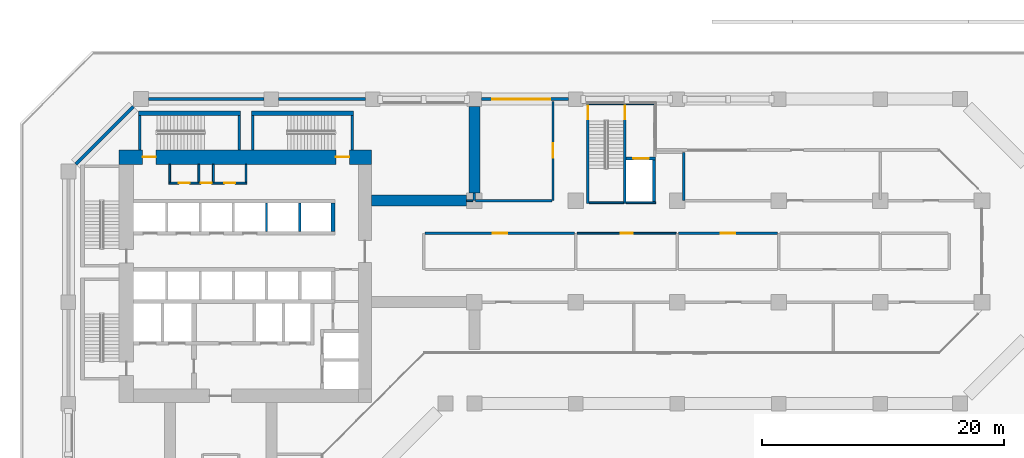
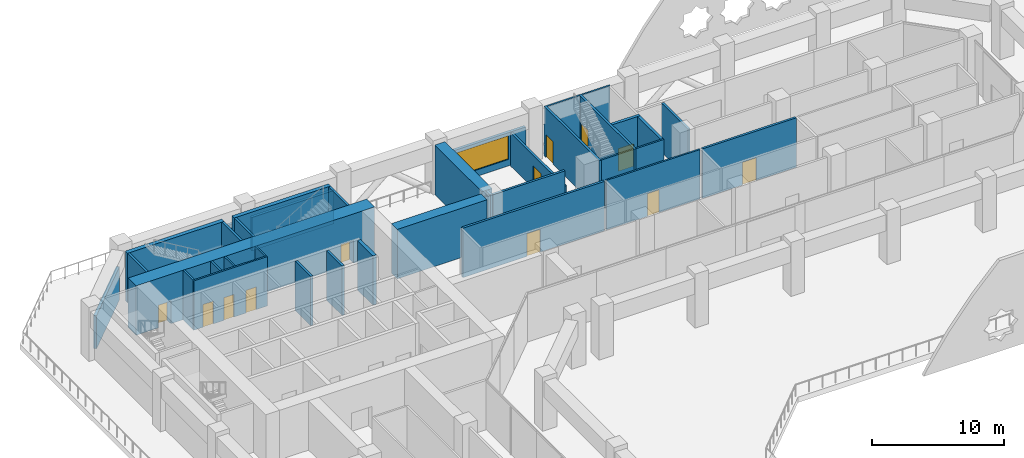
# One storey, part 9 of 19: 37 walls, 12 doors, 1 window, 13 openings.
"""IFC4 building model written with IfcOpenShell, lengths in metres."""

from ifc_helpers import new_model, si_unit, direction, frame, frame_2d, origin, place, context, subcontext, project, spatial, rectangle, extrude, material, layer, layer_set, type_object, element, fill, save


model = new_model("IFC4")

# Units and contexts
model_context = context("Model", 3, precision=1e-05, world=origin(), true_north=direction((0.0, 1.0)))
body_context = subcontext(model_context, "Body", "Model", "MODEL_VIEW")
ifc_project = project(units=[si_unit("LENGTHUNIT", "METRE"), si_unit("AREAUNIT", "SQUARE_METRE"), si_unit("VOLUMEUNIT", "CUBIC_METRE"), si_unit("PLANEANGLEUNIT", "RADIAN"), si_unit("MASSUNIT", "GRAM", prefix="KILO")], contexts=[model_context])

# Site, building, storey
site_placement = place(None, origin())
site = spatial("IfcSite", under=ifc_project, at=site_placement, CompositionType="ELEMENT")
building_placement = place(site_placement, origin())
building = spatial("IfcBuilding", under=site, at=building_placement, Name="Kawkab Arch Medical Tower", CompositionType="ELEMENT")
storey_placement = place(building_placement, frame((0.0, 0.0, 34.199951171875)))
storey = spatial("IfcBuildingStorey", under=building, at=storey_placement, Name="L07", CompositionType="ELEMENT", Elevation=34.199951171875)

# Walls
ifc_material_1 = material(Name="Concrete C60/75", Category="concrete")
ifc_layer_1 = layer(ifc_material_1, 0.89990234375)
ifc_layer_set_1 = layer_set([ifc_layer_1], Name="Concrete C60/75")
wall_type_1 = type_object("IfcWallType", Name="Belt wall 900 C60/75", PredefinedType="SHEAR", material=ifc_layer_set_1)
wall_1_placement = place(storey_placement, frame((25.10009765625, -8.39990234375, 0.0), z_axis=(0.0, 0.0, 1.0), x_axis=(1.0, 0.0, 0.0)))
element("IfcWall", 1, at=wall_1_placement, inside=storey, type_object=wall_type_1, Name="Belt wall BW-L07-1", PredefinedType="SHEAR", context=body_context, shape_type="SweptSolid", body=[
    extrude(rectangle(XDim=7.849853515625, YDim=0.89990234375, at=frame_2d((3.9248046875, 0.0))), origin(), (0.0, 0.0, 1.0), 4.580078125),
])
wall_2_placement = place(storey_placement, frame((33.60009765625, -0.60009765625, 0.0), z_axis=(0.0, 0.0, 1.0), x_axis=(0.0, -1.0, 0.0)))
element("IfcWall", 2, at=wall_2_placement, inside=storey, type_object=wall_type_1, Name="Belt wall BW-L07-3", PredefinedType="SHEAR", context=body_context, shape_type="SweptSolid", body=[
    extrude(rectangle(XDim=7.14990234375, YDim=0.89990234375, at=frame_2d((3.574951171875, 0.0))), origin(), (0.0, 0.0, 1.0), 4.580078125),
])

# Wall, openings, doors
ifc_material_2 = material(Name="Concrete C60/75", Category="concrete")
ifc_layer_2 = layer(ifc_material_2, 1.199951171875)
ifc_layer_set_2 = layer_set([ifc_layer_2], Name="Concrete C60/75")
wall_type_2 = type_object("IfcWallType", Name="Core ring wall 1200 C60/75", PredefinedType="SHEAR", material=ifc_layer_set_2)
wall_3_placement = place(storey_placement, frame((4.199951171875, -4.800048828125, 0.0), z_axis=(0.0, 0.0, 1.0), x_axis=(1.0, 0.0, 0.0)))
wall_3 = element("IfcWall", 3, at=wall_3_placement, inside=storey, type_object=wall_type_2, Name="L07 core wall", PredefinedType="SHEAR", context=body_context, shape_type="SweptSolid", body=[
    extrude(rectangle(XDim=20.900146484375, YDim=1.199951171875, at=frame_2d((10.4501953125, 0.0))), origin(), (0.0, 0.0, 1.0), 4.580078125),
])
opening_1_placement = place(wall_3_placement, frame((1.949951171875, 0.0, 0.0)))
opening_1 = element("IfcOpeningElement", 4, at=opening_1_placement, cuts=wall_3, Name="Opening SD", PredefinedType="OPENING", context=body_context, shape_type="SweptSolid", body=[
    extrude(rectangle(XDim=1.10009765625, YDim=2.10009765625, at=frame_2d((0.550048828125, 1.050048828125))), frame((0.0, 0.60986328125, 0.0), z_axis=(0.0, -1.0, 0.0), x_axis=(1.0, 0.0, 0.0)), (0.0, 0.0, 1.0), 1.219970703125),
])
opening_2_placement = place(wall_3_placement, frame((17.949951171875, 0.0, 0.0)))
opening_2 = element("IfcOpeningElement", 5, at=opening_2_placement, cuts=wall_3, Name="Opening SD", PredefinedType="OPENING", context=body_context, shape_type="SweptSolid", body=[
    extrude(rectangle(XDim=1.10009765625, YDim=2.10009765625, at=frame_2d((0.550048828125, 1.050048828125))), frame((0.0, 0.60986328125, 0.0), z_axis=(0.0, -1.0, 0.0), x_axis=(1.0, 0.0, 0.0)), (0.0, 0.0, 1.0), 1.219970703125),
])
ifc_material_3 = material(Name="Hollow metal fire door leaf")
door_type_1 = type_object("IfcDoorType", Name="Exit stair door 1100", OperationType="SINGLE_SWING_LEFT", PredefinedType="DOOR", material=ifc_material_3)
door_1_placement = place(opening_1_placement, origin())
door_1 = element("IfcDoor", 6, at=door_1_placement, inside=storey, type_object=door_type_1, Name="L07 Exit stair ST3 door", OperationType="SINGLE_SWING_LEFT", OverallHeight=2.10009765625, OverallWidth=1.10009765625, PredefinedType="DOOR", context=body_context, shape_type="SweptSolid", body=[
    extrude(rectangle(XDim=1.10009765625, YDim=2.10009765625, at=frame_2d((0.550048828125, 1.050048828125))), frame((0.0, 0.02490234375, 0.0), z_axis=(0.0, -1.0, 0.0), x_axis=(1.0, 0.0, 0.0)), (0.0, 0.0, 1.0), 0.050048828125),
])
fill(opening_1, door_1)
door_2_placement = place(opening_2_placement, origin())
door_2 = element("IfcDoor", 7, at=door_2_placement, inside=storey, type_object=door_type_1, Name="L07 Exit stair ST4 door", OperationType="SINGLE_SWING_LEFT", OverallHeight=2.10009765625, OverallWidth=1.10009765625, PredefinedType="DOOR", context=body_context, shape_type="SweptSolid", body=[
    extrude(rectangle(XDim=1.10009765625, YDim=2.10009765625, at=frame_2d((0.550048828125, 1.050048828125))), frame((0.0, 0.02490234375, 0.0), z_axis=(0.0, -1.0, 0.0), x_axis=(1.0, 0.0, 0.0)), (0.0, 0.0, 1.0), 0.050048828125),
])
fill(opening_2, door_2)

ifc_material_4 = material(Name="Gypsum board on steel studs", Category="steel")
ifc_layer_3 = layer(ifc_material_4, 0.14990234375)
ifc_layer_set_3 = layer_set([ifc_layer_3], Name="Gypsum board on steel studs")
wall_type_3 = type_object("IfcWallType", Name="Core room partition 150", PredefinedType="PARTITIONING", material=ifc_layer_set_3)
wall_4_placement = place(storey_placement, frame((8.324951171875, -6.949951171875, 0.0), z_axis=(0.0, 0.0, 1.0), x_axis=(1.0, 0.0, 0.0)))
wall_4 = element("IfcWall", 8, at=wall_4_placement, inside=storey, type_object=wall_type_3, Name="L07 core room partition", PredefinedType="PARTITIONING", context=body_context, shape_type="SweptSolid", body=[
    extrude(rectangle(XDim=6.449951171875, YDim=0.14990234375, at=frame_2d((3.22509765625, 0.0))), origin(), (0.0, 0.0, 1.0), 4.580078125),
])
opening_3_placement = place(wall_4_placement, frame((0.824951171875, 0.0, 0.0)))
opening_3 = element("IfcOpeningElement", 9, at=opening_3_placement, cuts=wall_4, Name="Opening RD", PredefinedType="OPENING", context=body_context, shape_type="SweptSolid", body=[
    extrude(rectangle(XDim=0.89990234375, YDim=2.10009765625, at=frame_2d((0.449951171875, 1.050048828125))), frame((0.0, 0.0849609375, 0.0), z_axis=(0.0, -1.0, 0.0), x_axis=(1.0, 0.0, 0.0)), (0.0, 0.0, 1.0), 0.169921875),
])
opening_4_placement = place(wall_4_placement, frame((2.625, 0.0, 0.0)))
opening_4 = element("IfcOpeningElement", 10, at=opening_4_placement, cuts=wall_4, Name="Opening RD", PredefinedType="OPENING", context=body_context, shape_type="SweptSolid", body=[
    extrude(rectangle(XDim=0.89990234375, YDim=2.10009765625, at=frame_2d((0.449951171875, 1.050048828125))), frame((0.0, 0.0849609375, 0.0), z_axis=(0.0, -1.0, 0.0), x_axis=(1.0, 0.0, 0.0)), (0.0, 0.0, 1.0), 0.169921875),
])
opening_5_placement = place(wall_4_placement, frame((4.574951171875, 0.0, 0.0)))
opening_5 = element("IfcOpeningElement", 11, at=opening_5_placement, cuts=wall_4, Name="Opening RD", PredefinedType="OPENING", context=body_context, shape_type="SweptSolid", body=[
    extrude(rectangle(XDim=0.89990234375, YDim=2.10009765625, at=frame_2d((0.449951171875, 1.050048828125))), frame((0.0, 0.0849609375, 0.0), z_axis=(0.0, -1.0, 0.0), x_axis=(1.0, 0.0, 0.0)), (0.0, 0.0, 1.0), 0.169921875),
])
ifc_material_5 = material(Name="Hollow metal fire door leaf")
door_type_2 = type_object("IfcDoorType", Name="Core room door 900", OperationType="SINGLE_SWING_LEFT", PredefinedType="DOOR", material=ifc_material_5)
door_3_placement = place(opening_3_placement, origin())
door_3 = element("IfcDoor", 12, at=door_3_placement, inside=storey, type_object=door_type_2, Name="L07 Housekeeping store door", OperationType="SINGLE_SWING_LEFT", OverallHeight=2.10009765625, OverallWidth=0.89990234375, PredefinedType="DOOR", context=body_context, shape_type="SweptSolid", body=[
    extrude(rectangle(XDim=0.89990234375, YDim=2.10009765625, at=frame_2d((0.449951171875, 1.050048828125))), frame((0.0, 0.02490234375, 0.0), z_axis=(0.0, -1.0, 0.0), x_axis=(1.0, 0.0, 0.0)), (0.0, 0.0, 1.0), 0.050048828125),
])
fill(opening_3, door_3)
door_4_placement = place(opening_4_placement, origin())
door_4 = element("IfcDoor", 13, at=door_4_placement, inside=storey, type_object=door_type_2, Name="L07 Electrical riser room door", OperationType="SINGLE_SWING_LEFT", OverallHeight=2.10009765625, OverallWidth=0.89990234375, PredefinedType="DOOR", context=body_context, shape_type="SweptSolid", body=[
    extrude(rectangle(XDim=0.89990234375, YDim=2.10009765625, at=frame_2d((0.449951171875, 1.050048828125))), frame((0.0, 0.02490234375, 0.0), z_axis=(0.0, -1.0, 0.0), x_axis=(1.0, 0.0, 0.0)), (0.0, 0.0, 1.0), 0.050048828125),
])
fill(opening_4, door_4)
door_5_placement = place(opening_5_placement, origin())
door_5 = element("IfcDoor", 14, at=door_5_placement, inside=storey, type_object=door_type_2, Name="L07 Equipment store door", OperationType="SINGLE_SWING_LEFT", OverallHeight=2.10009765625, OverallWidth=0.89990234375, PredefinedType="DOOR", context=body_context, shape_type="SweptSolid", body=[
    extrude(rectangle(XDim=0.89990234375, YDim=2.10009765625, at=frame_2d((0.449951171875, 1.050048828125))), frame((0.0, 0.02490234375, 0.0), z_axis=(0.0, -1.0, 0.0), x_axis=(1.0, 0.0, 0.0)), (0.0, 0.0, 1.0), 0.050048828125),
])
fill(opening_5, door_5)

# Walls
for number, where, z_axis, x_axis, name in (
    (15, (8.39990234375, -6.875, 0.0), (0.0, 0.0, 1.0), (0.0, 1.0, 0.0), "L07 core room partition"),
    (16, (10.800048828125, -6.875, 0.0), (0.0, 0.0, 1.0), (0.0, 1.0, 0.0), "L07 core room partition"),
    (17, (12.0, -6.875, 0.0), (0.0, 0.0, 1.0), (0.0, 1.0, 0.0), "L07 core room partition"),
    (18, (14.699951171875, -6.875, 0.0), (0.0, 0.0, 1.0), (0.0, 1.0, 0.0), "L07 core room partition"),
):
    element("IfcWall", number, at=place(storey_placement, frame(where, z_axis=z_axis, x_axis=x_axis)), inside=storey, type_object=wall_type_3, Name=name, PredefinedType="PARTITIONING", context=body_context, shape_type="SweptSolid", body=[
        extrude(rectangle(XDim=1.47509765625, YDim=0.14990234375, at=frame_2d((0.737548828125, 0.0))), origin(), (0.0, 0.0, 1.0), 4.580078125),
    ])

# Wall, opening, door
ifc_material_6 = material(Name="Concrete C60/75", Category="concrete")
ifc_layer_4 = layer(ifc_material_6, 0.25)
ifc_layer_set_4 = layer_set([ifc_layer_4], Name="Concrete C60/75")
wall_type_4 = type_object("IfcWallType", Name="Core shear wall 250 C60/75", PredefinedType="SHEAR", material=ifc_layer_set_4)
wall_5_placement = place(storey_placement, frame((46.14990234375, -4.89990234375, 0.0), z_axis=(0.0, 0.0, 1.0), x_axis=(1.0, 0.0, 0.0)))
wall_5 = element("IfcWall", 19, at=wall_5_placement, inside=storey, type_object=wall_type_4, Name="L07 core shear wall", PredefinedType="SHEAR", context=body_context, shape_type="SweptSolid", body=[
    extrude(rectangle(XDim=2.4501953125, YDim=0.25, at=frame_2d((1.22509765625, 0.0))), origin(), (0.0, 0.0, 1.0), 4.580078125),
])
opening_6_placement = place(wall_5_placement, frame((0.60009765625, 0.0, 0.0)))
opening_6 = element("IfcOpeningElement", 20, at=opening_6_placement, cuts=wall_5, Name="Opening LD2", PredefinedType="OPENING", context=body_context, shape_type="SweptSolid", body=[
    extrude(rectangle(XDim=1.300048828125, YDim=2.10009765625, at=frame_2d((0.64990234375, 1.050048828125))), frame((0.0, 0.135009765625, 0.0), z_axis=(0.0, -1.0, 0.0), x_axis=(1.0, 0.0, 0.0)), (0.0, 0.0, 1.0), 0.27001953125),
])
ifc_material_7 = material(Name="Stainless steel lift door leaf", Category="steel")
door_type_3 = type_object("IfcDoorType", Name="Lift landing door 1300", OperationType="DOUBLE_DOOR_SLIDING", PredefinedType="DOOR", material=ifc_material_7)
door_6_placement = place(opening_6_placement, origin())
door_6 = element("IfcDoor", 21, at=door_6_placement, inside=storey, type_object=door_type_3, Name="L07 Lift landing door SV1", OperationType="DOUBLE_DOOR_SLIDING", OverallHeight=2.10009765625, OverallWidth=1.300048828125, PredefinedType="DOOR", context=body_context, shape_type="SweptSolid", body=[
    extrude(rectangle(XDim=1.300048828125, YDim=2.10009765625, at=frame_2d((0.64990234375, 1.050048828125))), frame((0.0, 0.02490234375, 0.0), z_axis=(0.0, -1.0, 0.0), x_axis=(1.0, 0.0, 0.0)), (0.0, 0.0, 1.0), 0.050048828125),
])
fill(opening_6, door_6)

# Walls
wall_6_placement = place(storey_placement, frame((48.47509765625, -8.5, 0.0), z_axis=(0.0, 0.0, 1.0), x_axis=(0.0, 1.0, 0.0)))
element("IfcWall", 22, at=wall_6_placement, inside=storey, type_object=wall_type_4, Name="L07 core shear wall", PredefinedType="SHEAR", context=body_context, shape_type="SweptSolid", body=[
    extrude(rectangle(XDim=3.47509765625, YDim=0.25, at=frame_2d((1.737548828125, 0.0))), origin(), (0.0, 0.0, 1.0), 4.580078125),
])
ifc_material_8 = material(Name="Concrete C60/75", Category="concrete")
ifc_layer_5 = layer(ifc_material_8, 0.300048828125)
ifc_layer_set_5 = layer_set([ifc_layer_5], Name="Concrete C60/75")
wall_type_5 = type_object("IfcWallType", Name="Core shear wall 300 C60/75", PredefinedType="SHEAR", material=ifc_layer_set_5)
wall_7_placement = place(storey_placement, frame((21.89990234375, -10.949951171875, 0.0), z_axis=(0.0, 0.0, 1.0), x_axis=(0.0, 1.0, 0.0)))
element("IfcWall", 23, at=wall_7_placement, inside=storey, type_object=wall_type_5, Name="L07 core shear wall", PredefinedType="SHEAR", context=body_context, shape_type="SweptSolid", body=[
    extrude(rectangle(XDim=2.349853515625, YDim=0.300048828125, at=frame_2d((1.1748046875, 0.0))), origin(), (0.0, 0.0, 1.0), 4.580078125),
])
ifc_material_9 = material(Name="Bronze clad insulated wall panel")
ifc_layer_6 = layer(ifc_material_9, 0.25)
ifc_layer_set_6 = layer_set([ifc_layer_6], Name="Bronze clad insulated wall panel")
wall_type_6 = type_object("IfcWallType", Name="External wall bay 250", PredefinedType="SOLIDWALL", material=ifc_layer_set_6)
wall_8_placement = place(storey_placement, frame((5.375, -0.625, 0.0), z_axis=(0.0, 0.0, 1.0), x_axis=(-0.707106781187, -0.707106781187, 0.0)))
element("IfcWall", 24, at=wall_8_placement, inside=storey, type_object=wall_type_6, Name="Plant wall L07.R01.1", PredefinedType="SOLIDWALL", context=body_context, shape_type="SweptSolid", body=[
    extrude(rectangle(XDim=6.717529296875, YDim=0.25, at=frame_2d((3.35888671875, 0.0))), origin(), (0.0, 0.0, 1.0), 3.080078125),
])

# Wall, opening, window
wall_9_placement = place(storey_placement, frame((41.39990234375, 0.0, 0.0), z_axis=(0.0, 0.0, 1.0), x_axis=(-1.0, 0.0, 0.0)))
wall_9 = element("IfcWall", 25, at=wall_9_placement, inside=storey, type_object=wall_type_6, Name="Plant wall L07.R18.2", PredefinedType="SOLIDWALL", context=body_context, shape_type="SweptSolid", body=[
    extrude(rectangle(XDim=7.199951171875, YDim=0.25, at=frame_2d((3.60009765625, 0.0))), origin(), (0.0, 0.0, 1.0), 3.080078125),
])
opening_7_placement = place(wall_9_placement, frame((1.5, 0.0, 0.60009765625)))
opening_7 = element("IfcOpeningElement", 26, at=opening_7_placement, cuts=wall_9, Name="Opening PW480-22-S6", PredefinedType="OPENING", context=body_context, shape_type="SweptSolid", body=[
    extrude(rectangle(XDim=4.800048828125, YDim=2.199951171875, at=frame_2d((2.39990234375, 1.10009765625))), frame((0.0, 0.135009765625, 0.0), z_axis=(0.0, -1.0, 0.0), x_axis=(1.0, 0.0, 0.0)), (0.0, 0.0, 1.0), 0.27001953125),
])
ifc_material_10 = material(Name="Bronze anodised aluminium louvred window", Category="aluminium")
window_type = type_object("IfcWindowType", Name="Plant louvre window 4800 x 2200 sill 600", PartitioningType="DOUBLE_PANEL_VERTICAL", PredefinedType="WINDOW", material=ifc_material_10)
window_placement = place(opening_7_placement, origin())
window = element("IfcWindow", 27, at=window_placement, inside=storey, type_object=window_type, Name="Plant louvre window L07.R18.2", OverallHeight=2.199951171875, OverallWidth=4.800048828125, PartitioningType="SINGLE_PANEL", PredefinedType="WINDOW", context=body_context, shape_type="SweptSolid", body=[
    extrude(rectangle(XDim=4.800048828125, YDim=2.199951171875, at=frame_2d((2.39990234375, 1.10009765625))), frame((0.0, 0.030029296875, 0.0), z_axis=(0.0, -1.0, 0.0), x_axis=(1.0, 0.0, 0.0)), (0.0, 0.0, 1.0), 0.06005859375),
])
fill(opening_7, window)

# Walls
wall_10_placement = place(storey_placement, frame((24.60009765625, 0.0, 0.0), z_axis=(0.0, 0.0, 1.0), x_axis=(-1.0, 0.0, 0.0)))
element("IfcWall", 28, at=wall_10_placement, inside=storey, type_object=wall_type_6, Name="Plant wall L07.R18.4", PredefinedType="SOLIDWALL", context=body_context, shape_type="SweptSolid", body=[
    extrude(rectangle(XDim=7.2001953125, YDim=0.25, at=frame_2d((3.60009765625, 0.0))), origin(), (0.0, 0.0, 1.0), 3.080078125),
])
wall_11_placement = place(storey_placement, frame((16.199951171875, 0.0, 0.0), z_axis=(0.0, 0.0, 1.0), x_axis=(-1.0, 0.0, 0.0)))
element("IfcWall", 29, at=wall_11_placement, inside=storey, type_object=wall_type_6, Name="Plant wall L07.R18.5", PredefinedType="SOLIDWALL", context=body_context, shape_type="SweptSolid", body=[
    extrude(rectangle(XDim=9.574951171875, YDim=0.25, at=frame_2d((4.78759765625, 0.0))), origin(), (0.0, 0.0, 1.0), 3.080078125),
])
ifc_material_11 = material(Name="Dense concrete blockwork", Category="masonry")
ifc_layer_7 = layer(ifc_material_11, 0.199951171875)
ifc_layer_set_7 = layer_set([ifc_layer_7], Name="Dense concrete blockwork")
wall_type_7 = type_object("IfcWallType", Name="Lift shaft partition 200", PredefinedType="PARTITIONING", material=ifc_layer_set_7)
for number, where, z_axis, x_axis, name in (
    (30, (16.39990234375, -10.949951171875, 0.0), (0.0, 0.0, 1.0), (0.0, 1.0, 0.0), "L07 lift shaft partition"),
    (31, (19.14990234375, -10.949951171875, 0.0), (0.0, 0.0, 1.0), (0.0, 1.0, 0.0), "L07 lift shaft partition"),
):
    element("IfcWall", number, at=place(storey_placement, frame(where, z_axis=z_axis, x_axis=x_axis)), inside=storey, type_object=wall_type_7, Name=name, PredefinedType="PARTITIONING", context=body_context, shape_type="SweptSolid", body=[
        extrude(rectangle(XDim=2.349853515625, YDim=0.199951171875, at=frame_2d((1.1748046875, 0.0))), origin(), (0.0, 0.0, 1.0), 4.580078125),
    ])

# Wall, opening, door
ifc_material_12 = material(Name="Gypsum board partition on steel studs, mineral wool", Category="steel")
ifc_layer_8 = layer(ifc_material_12, 0.14990234375)
ifc_layer_set_8 = layer_set([ifc_layer_8], Name="Gypsum board partition on steel studs, mineral wool")
wall_type_8 = type_object("IfcWallType", Name="Partition 150", PredefinedType="PARTITIONING", material=ifc_layer_set_8)
wall_12_placement = place(storey_placement, frame((42.10009765625, -11.10009765625, 0.0), z_axis=(0.0, 0.0, 1.0), x_axis=(1.0, 0.0, 0.0)))
wall_12 = element("IfcWall", 32, at=wall_12_placement, inside=storey, type_object=wall_type_8, Name="Partition 150 w010", PredefinedType="PARTITIONING", context=body_context, shape_type="SweptSolid", body=[
    extrude(rectangle(XDim=8.199951171875, YDim=0.14990234375, at=frame_2d((4.10009765625, 0.0))), origin(), (0.0, 0.0, 1.0), 4.580078125),
])
opening_8_placement = place(wall_12_placement, frame((3.60009765625, 0.0, 0.0)))
opening_8 = element("IfcOpeningElement", 33, at=opening_8_placement, cuts=wall_12, Name="Opening PL1A-001", PredefinedType="OPENING", context=body_context, shape_type="SweptSolid", body=[
    extrude(rectangle(XDim=1.0, YDim=2.10009765625, at=frame_2d((0.5, 1.050048828125))), frame((0.0, 0.0849609375, 0.0), z_axis=(0.0, -1.0, 0.0), x_axis=(1.0, 0.0, 0.0)), (0.0, 0.0, 1.0), 0.169921875),
])
ifc_material_13 = material(Name="Hollow metal door leaf")
door_type_4 = type_object("IfcDoorType", Name="Single door 1000x2100 FD30S", OperationType="NOTDEFINED", PredefinedType="DOOR", material=ifc_material_13)
door_7_placement = place(opening_8_placement, origin())
door_7 = element("IfcDoor", 34, at=door_7_placement, inside=storey, type_object=door_type_4, Name="Door PL1A-001", OperationType="SINGLE_SWING_RIGHT", OverallHeight=2.10009765625, OverallWidth=1.0, PredefinedType="DOOR", context=body_context, shape_type="SweptSolid", body=[
    extrude(rectangle(XDim=1.0, YDim=2.10009765625, at=frame_2d((0.5, 1.050048828125))), frame((0.0, 0.02490234375, 0.0), z_axis=(0.0, -1.0, 0.0), x_axis=(1.0, 0.0, 0.0)), (0.0, 0.0, 1.0), 0.050048828125),
])
fill(opening_8, door_7)

# Wall
wall_13_placement = place(storey_placement, frame((32.949951171875, -8.39990234375, 0.0), z_axis=(0.0, 0.0, 1.0), x_axis=(1.0, 0.0, 0.0)))
element("IfcWall", 35, at=wall_13_placement, inside=storey, type_object=wall_type_8, Name="Partition 150 w012", PredefinedType="PARTITIONING", context=body_context, shape_type="SweptSolid", body=[
    extrude(rectangle(XDim=0.530029296875, YDim=0.14990234375, at=frame_2d((0.26513671875, 0.0))), origin(), (0.0, 0.0, 1.0), 4.580078125),
])

# Wall, opening, door
ifc_material_14 = material(Name="Fire-rated gypsum board partition on steel studs", Category="steel")
ifc_layer_9 = layer(ifc_material_14, 0.199951171875)
ifc_layer_set_9 = layer_set([ifc_layer_9], Name="Fire-rated gypsum board partition on steel studs")
wall_type_9 = type_object("IfcWallType", Name="Protected partition 200", PredefinedType="PARTITIONING", material=ifc_layer_set_9)
wall_14_placement = place(storey_placement, frame((29.5029296875, -11.10009765625, 0.0), z_axis=(0.0, 0.0, 1.0), x_axis=(1.0, 0.0, 0.0)))
wall_14 = element("IfcWall", 36, at=wall_14_placement, inside=storey, type_object=wall_type_9, Name="Protected partition 200 w027", PredefinedType="PARTITIONING", context=body_context, shape_type="SweptSolid", body=[
    extrude(rectangle(XDim=12.39697265625, YDim=0.199951171875, at=frame_2d((6.198486328125, 0.0))), origin(), (0.0, 0.0, 1.0), 4.580078125),
])
opening_9_placement = place(wall_14_placement, frame((5.597900390625, 0.0, 0.0)))
opening_9 = element("IfcOpeningElement", 37, at=opening_9_placement, cuts=wall_14, Name="Opening PL1A-007", PredefinedType="OPENING", context=body_context, shape_type="SweptSolid", body=[
    extrude(rectangle(XDim=1.199951171875, YDim=2.10009765625, at=frame_2d((0.60009765625, 1.050048828125))), frame((0.0, 0.10986328125, 0.0), z_axis=(0.0, -1.0, 0.0), x_axis=(1.0, 0.0, 0.0)), (0.0, 0.0, 1.0), 0.219970703125),
])
ifc_material_15 = material(Name="Hollow metal door leaf")
door_type_5 = type_object("IfcDoorType", Name="Single door 1200x2100 FD60", OperationType="NOTDEFINED", PredefinedType="DOOR", material=ifc_material_15)
door_8_placement = place(opening_9_placement, origin())
door_8 = element("IfcDoor", 38, at=door_8_placement, inside=storey, type_object=door_type_5, Name="Door PL1A-007", OperationType="SINGLE_SWING_LEFT", OverallHeight=2.10009765625, OverallWidth=1.199951171875, PredefinedType="DOOR", context=body_context, shape_type="SweptSolid", body=[
    extrude(rectangle(XDim=1.199951171875, YDim=2.10009765625, at=frame_2d((0.60009765625, 1.050048828125))), frame((0.0, 0.02490234375, 0.0), z_axis=(0.0, -1.0, 0.0), x_axis=(1.0, 0.0, 0.0)), (0.0, 0.0, 1.0), 0.050048828125),
])
fill(opening_9, door_8)

wall_15_placement = place(storey_placement, frame((50.5, -11.10009765625, 0.0), z_axis=(0.0, 0.0, 1.0), x_axis=(1.0, 0.0, 0.0)))
wall_15 = element("IfcWall", 39, at=wall_15_placement, inside=storey, type_object=wall_type_9, Name="Protected partition 200 w028", PredefinedType="PARTITIONING", context=body_context, shape_type="SweptSolid", body=[
    extrude(rectangle(XDim=8.199951171875, YDim=0.199951171875, at=frame_2d((4.10009765625, 0.0))), origin(), (0.0, 0.0, 1.0), 4.580078125),
])
opening_10_placement = place(wall_15_placement, frame((3.5, 0.0, 0.0)))
opening_10 = element("IfcOpeningElement", 40, at=opening_10_placement, cuts=wall_15, Name="Opening PL1A-008", PredefinedType="OPENING", context=body_context, shape_type="SweptSolid", body=[
    extrude(rectangle(XDim=1.199951171875, YDim=2.10009765625, at=frame_2d((0.60009765625, 1.050048828125))), frame((0.0, 0.10986328125, 0.0), z_axis=(0.0, -1.0, 0.0), x_axis=(1.0, 0.0, 0.0)), (0.0, 0.0, 1.0), 0.219970703125),
])
door_9_placement = place(opening_10_placement, origin())
door_9 = element("IfcDoor", 41, at=door_9_placement, inside=storey, type_object=door_type_5, Name="Door PL1A-008", OperationType="SINGLE_SWING_LEFT", OverallHeight=2.10009765625, OverallWidth=1.199951171875, PredefinedType="DOOR", context=body_context, shape_type="SweptSolid", body=[
    extrude(rectangle(XDim=1.199951171875, YDim=2.10009765625, at=frame_2d((0.60009765625, 1.050048828125))), frame((0.0, 0.02490234375, 0.0), z_axis=(0.0, -1.0, 0.0), x_axis=(1.0, 0.0, 0.0)), (0.0, 0.0, 1.0), 0.050048828125),
])
fill(opening_10, door_9)

# Walls
wall_16_placement = place(storey_placement, frame((33.699951171875, -8.39990234375, 0.0), z_axis=(0.0, 0.0, 1.0), x_axis=(1.0, 0.0, 0.0)))
element("IfcWall", 42, at=wall_16_placement, inside=storey, type_object=wall_type_9, Name="Protected partition 200 w030", PredefinedType="PARTITIONING", context=body_context, shape_type="SweptSolid", body=[
    extrude(rectangle(XDim=6.304931640625, YDim=0.199951171875, at=frame_2d((3.15234375, 0.0))), origin(), (0.0, 0.0, 1.0), 4.580078125),
])
wall_17_placement = place(storey_placement, frame((33.60009765625, -8.3798828125, 0.0), z_axis=(0.0, 0.0, 1.0), x_axis=(0.0, 1.0, 0.0)))
element("IfcWall", 43, at=wall_17_placement, inside=storey, type_object=wall_type_9, Name="Protected partition 200 w039", PredefinedType="PARTITIONING", context=body_context, shape_type="SweptSolid", body=[
    extrude(rectangle(XDim=0.6298828125, YDim=0.199951171875, at=frame_2d((0.31494140625, 0.0))), origin(), (0.0, 0.0, 1.0), 4.580078125),
])

# Wall, opening, door
wall_18_placement = place(storey_placement, frame((40.10693359375, -8.39697265625, 0.0), z_axis=(0.0, 0.0, 1.0), x_axis=(0.0, 1.0, 0.0)))
wall_18 = element("IfcWall", 44, at=wall_18_placement, inside=storey, type_object=wall_type_9, Name="Protected partition 200 w040", PredefinedType="PARTITIONING", context=body_context, shape_type="SweptSolid", body=[
    extrude(rectangle(XDim=8.197021484375, YDim=0.199951171875, at=frame_2d((4.0986328125, 0.0))), origin(), (0.0, 0.0, 1.0), 3.080078125),
])
opening_11_placement = place(wall_18_placement, frame((3.548095703125, 0.0, 0.0)))
opening_11 = element("IfcOpeningElement", 45, at=opening_11_placement, cuts=wall_18, Name="Opening PL1A-021", PredefinedType="OPENING", context=body_context, shape_type="SweptSolid", body=[
    extrude(rectangle(XDim=1.199951171875, YDim=2.10009765625, at=frame_2d((0.60009765625, 1.050048828125))), frame((0.0, 0.10986328125, 0.0), z_axis=(0.0, -1.0, 0.0), x_axis=(1.0, 0.0, 0.0)), (0.0, 0.0, 1.0), 0.219970703125),
])
ifc_material_16 = material(Name="Hollow metal door leaf")
door_type_6 = type_object("IfcDoorType", Name="Single door 1200x2100 FD90", OperationType="NOTDEFINED", PredefinedType="DOOR", material=ifc_material_16)
door_10_placement = place(opening_11_placement, origin())
door_10 = element("IfcDoor", 46, at=door_10_placement, inside=storey, type_object=door_type_6, Name="Door PL1A-021", OperationType="SINGLE_SWING_LEFT", OverallHeight=2.10009765625, OverallWidth=1.199951171875, PredefinedType="DOOR", context=body_context, shape_type="SweptSolid", body=[
    extrude(rectangle(XDim=1.199951171875, YDim=2.10009765625, at=frame_2d((0.60009765625, 1.050048828125))), frame((0.0, 0.02490234375, 0.0), z_axis=(0.0, -1.0, 0.0), x_axis=(1.0, 0.0, 0.0)), (0.0, 0.0, 1.0), 0.050048828125),
])
fill(opening_11, door_10)

# Walls
wall_19_placement = place(storey_placement, frame((50.925048828125, -8.39794921875, 0.0), z_axis=(0.0, 0.0, 1.0), x_axis=(0.0, 1.0, 0.0)))
element("IfcWall", 47, at=wall_19_placement, inside=storey, type_object=wall_type_9, Name="Protected partition 200 w043", PredefinedType="PARTITIONING", context=body_context, shape_type="SweptSolid", body=[
    extrude(rectangle(XDim=3.9970703125, YDim=0.199951171875, at=frame_2d((1.99853515625, 0.0))), origin(), (0.0, 0.0, 1.0), 4.580078125),
])
ifc_material_17 = material(Name="Concrete C50/60", Category="concrete")
ifc_layer_10 = layer(ifc_material_17, 0.14990234375)
ifc_layer_set_10 = layer_set([ifc_layer_10], Name="Concrete C50/60")
wall_type_10 = type_object("IfcWallType", Name="Stair enclosure wall 150 C50/60", PredefinedType="SHEAR", material=ifc_layer_set_10)
wall_20_placement = place(storey_placement, frame((43.10009765625, -0.375, 0.0), z_axis=(0.0, 0.0, 1.0), x_axis=(1.0, 0.0, 0.0)))
element("IfcWall", 48, at=wall_20_placement, inside=storey, type_object=wall_type_10, Name="L07 stair enclosure wall", PredefinedType="SHEAR", context=body_context, shape_type="SweptSolid", body=[
    extrude(rectangle(XDim=2.849853515625, YDim=0.14990234375, at=frame_2d((1.4248046875, 0.0))), origin(), (0.0, 0.0, 1.0), 4.580078125),
])
wall_21_placement = place(storey_placement, frame((46.14990234375, -0.375, 0.0), z_axis=(0.0, 0.0, 1.0), x_axis=(1.0, 0.0, 0.0)))
element("IfcWall", 49, at=wall_21_placement, inside=storey, type_object=wall_type_10, Name="L07 stair enclosure wall", PredefinedType="SHEAR", context=body_context, shape_type="SweptSolid", body=[
    extrude(rectangle(XDim=2.4501953125, YDim=0.14990234375, at=frame_2d((1.22509765625, 0.0))), origin(), (0.0, 0.0, 1.0), 4.580078125),
])
wall_22_placement = place(storey_placement, frame((43.10009765625, -8.574951171875, 0.0), z_axis=(0.0, 0.0, 1.0), x_axis=(1.0, 0.0, 0.0)))
element("IfcWall", 50, at=wall_22_placement, inside=storey, type_object=wall_type_10, Name="L07 stair enclosure wall", PredefinedType="SHEAR", context=body_context, shape_type="SweptSolid", body=[
    extrude(rectangle(XDim=2.849853515625, YDim=0.14990234375, at=frame_2d((1.4248046875, 0.0))), origin(), (0.0, 0.0, 1.0), 4.580078125),
])
wall_23_placement = place(storey_placement, frame((46.14990234375, -8.574951171875, 0.0), z_axis=(0.0, 0.0, 1.0), x_axis=(1.0, 0.0, 0.0)))
element("IfcWall", 51, at=wall_23_placement, inside=storey, type_object=wall_type_10, Name="L07 stair enclosure wall", PredefinedType="SHEAR", context=body_context, shape_type="SweptSolid", body=[
    extrude(rectangle(XDim=2.4501953125, YDim=0.14990234375, at=frame_2d((1.22509765625, 0.0))), origin(), (0.0, 0.0, 1.0), 4.580078125),
])
ifc_material_18 = material(Name="Concrete C50/60", Category="concrete")
ifc_layer_11 = layer(ifc_material_18, 0.199951171875)
ifc_layer_set_11 = layer_set([ifc_layer_11], Name="Concrete C50/60")
wall_type_11 = type_object("IfcWallType", Name="Stair enclosure wall 200 C50/60", PredefinedType="SHEAR", material=ifc_layer_set_11)
for number, where, z_axis, x_axis, name in (
    (52, (5.89990234375, -4.199951171875, 0.0), (0.0, 0.0, 1.0), (0.0, 1.0, 0.0), "L07 stair enclosure wall"),
    (53, (14.14990234375, -4.199951171875, 0.0), (0.0, 0.0, 1.0), (0.0, 1.0, 0.0), "L07 stair enclosure wall"),
    (54, (15.25, -4.199951171875, 0.0), (0.0, 0.0, 1.0), (0.0, 1.0, 0.0), "L07 stair enclosure wall"),
    (55, (23.5, -4.199951171875, 0.0), (0.0, 0.0, 1.0), (0.0, 1.0, 0.0), "L07 stair enclosure wall"),
):
    element("IfcWall", number, at=place(storey_placement, frame(where, z_axis=z_axis, x_axis=x_axis)), inside=storey, type_object=wall_type_11, Name=name, PredefinedType="SHEAR", context=body_context, shape_type="SweptSolid", body=[
        extrude(rectangle(XDim=2.849853515625, YDim=0.199951171875, at=frame_2d((1.4248046875, 0.0))), origin(), (0.0, 0.0, 1.0), 4.580078125),
    ])

# Wall, opening, door
wall_24_placement = place(storey_placement, frame((43.0, -8.64990234375, 0.0), z_axis=(0.0, 0.0, 1.0), x_axis=(0.0, 1.0, 0.0)))
wall_24 = element("IfcWall", 56, at=wall_24_placement, inside=storey, type_object=wall_type_11, Name="L07 stair enclosure wall", PredefinedType="SHEAR", context=body_context, shape_type="SweptSolid", body=[
    extrude(rectangle(XDim=8.349853515625, YDim=0.199951171875, at=frame_2d((4.1748046875, 0.0))), origin(), (0.0, 0.0, 1.0), 4.580078125),
])
opening_12_placement = place(wall_24_placement, frame((7.0, 0.0, 0.0)))
opening_12 = element("IfcOpeningElement", 57, at=opening_12_placement, cuts=wall_24, Name="Opening SD", PredefinedType="OPENING", context=body_context, shape_type="SweptSolid", body=[
    extrude(rectangle(XDim=1.10009765625, YDim=2.10009765625, at=frame_2d((0.550048828125, 1.050048828125))), frame((0.0, 0.10986328125, 0.0), z_axis=(0.0, -1.0, 0.0), x_axis=(1.0, 0.0, 0.0)), (0.0, 0.0, 1.0), 0.219970703125),
])
door_11_placement = place(opening_12_placement, frame((1.10009765625, 0.0, 0.0), z_axis=(0.0, 0.0, 1.0), x_axis=(-1.0, 0.0, 0.0)))
door_11 = element("IfcDoor", 58, at=door_11_placement, inside=storey, type_object=door_type_1, Name="L07 Exit stair ST5 door", OperationType="SINGLE_SWING_LEFT", OverallHeight=2.10009765625, OverallWidth=1.10009765625, PredefinedType="DOOR", context=body_context, shape_type="SweptSolid", body=[
    extrude(rectangle(XDim=1.10009765625, YDim=2.10009765625, at=frame_2d((0.550048828125, 1.050048828125))), frame((0.0, 0.02490234375, 0.0), z_axis=(0.0, -1.0, 0.0), x_axis=(1.0, 0.0, 0.0)), (0.0, 0.0, 1.0), 0.050048828125),
])
fill(opening_12, door_11)

wall_25_placement = place(storey_placement, frame((46.050048828125, -8.64990234375, 0.0), z_axis=(0.0, 0.0, 1.0), x_axis=(0.0, 1.0, 0.0)))
wall_25 = element("IfcWall", 59, at=wall_25_placement, inside=storey, type_object=wall_type_11, Name="L07 stair enclosure wall", PredefinedType="SHEAR", context=body_context, shape_type="SweptSolid", body=[
    extrude(rectangle(XDim=8.349853515625, YDim=0.199951171875, at=frame_2d((4.1748046875, 0.0))), origin(), (0.0, 0.0, 1.0), 4.580078125),
])
opening_13_placement = place(wall_25_placement, frame((7.0, 0.0, 0.0)))
opening_13 = element("IfcOpeningElement", 60, at=opening_13_placement, cuts=wall_25, Name="Opening SD", PredefinedType="OPENING", context=body_context, shape_type="SweptSolid", body=[
    extrude(rectangle(XDim=1.10009765625, YDim=2.10009765625, at=frame_2d((0.550048828125, 1.050048828125))), frame((0.0, 0.10986328125, 0.0), z_axis=(0.0, -1.0, 0.0), x_axis=(1.0, 0.0, 0.0)), (0.0, 0.0, 1.0), 0.219970703125),
])
door_12_placement = place(opening_13_placement, origin())
door_12 = element("IfcDoor", 61, at=door_12_placement, inside=storey, type_object=door_type_1, Name="L07 Exit stair ST5 lobby door", OperationType="SINGLE_SWING_LEFT", OverallHeight=2.10009765625, OverallWidth=1.10009765625, PredefinedType="DOOR", context=body_context, shape_type="SweptSolid", body=[
    extrude(rectangle(XDim=1.10009765625, YDim=2.10009765625, at=frame_2d((0.550048828125, 1.050048828125))), frame((0.0, 0.02490234375, 0.0), z_axis=(0.0, -1.0, 0.0), x_axis=(1.0, 0.0, 0.0)), (0.0, 0.0, 1.0), 0.050048828125),
])
fill(opening_13, door_12)

# Walls
ifc_material_19 = material(Name="Concrete C50/60", Category="concrete")
ifc_layer_12 = layer(ifc_material_19, 0.35009765625)
ifc_layer_set_12 = layer_set([ifc_layer_12], Name="Concrete C50/60")
wall_type_12 = type_object("IfcWallType", Name="Stair enclosure wall 350 C50/60", PredefinedType="SHEAR", material=ifc_layer_set_12)
wall_26_placement = place(storey_placement, frame((5.800048828125, -1.175048828125, 0.0), z_axis=(0.0, 0.0, 1.0), x_axis=(1.0, 0.0, 0.0)))
element("IfcWall", 62, at=wall_26_placement, inside=storey, type_object=wall_type_12, Name="L07 stair enclosure wall", PredefinedType="SHEAR", context=body_context, shape_type="SweptSolid", body=[
    extrude(rectangle(XDim=8.449951171875, YDim=0.35009765625, at=frame_2d((4.22509765625, 0.0))), origin(), (0.0, 0.0, 1.0), 4.580078125),
])
wall_27_placement = place(storey_placement, frame((15.14990234375, -1.175048828125, 0.0), z_axis=(0.0, 0.0, 1.0), x_axis=(1.0, 0.0, 0.0)))
element("IfcWall", 63, at=wall_27_placement, inside=storey, type_object=wall_type_12, Name="L07 stair enclosure wall", PredefinedType="SHEAR", context=body_context, shape_type="SweptSolid", body=[
    extrude(rectangle(XDim=8.4501953125, YDim=0.35009765625, at=frame_2d((4.22509765625, 0.0))), origin(), (0.0, 0.0, 1.0), 4.580078125),
])

save(model, "model.ifc")
